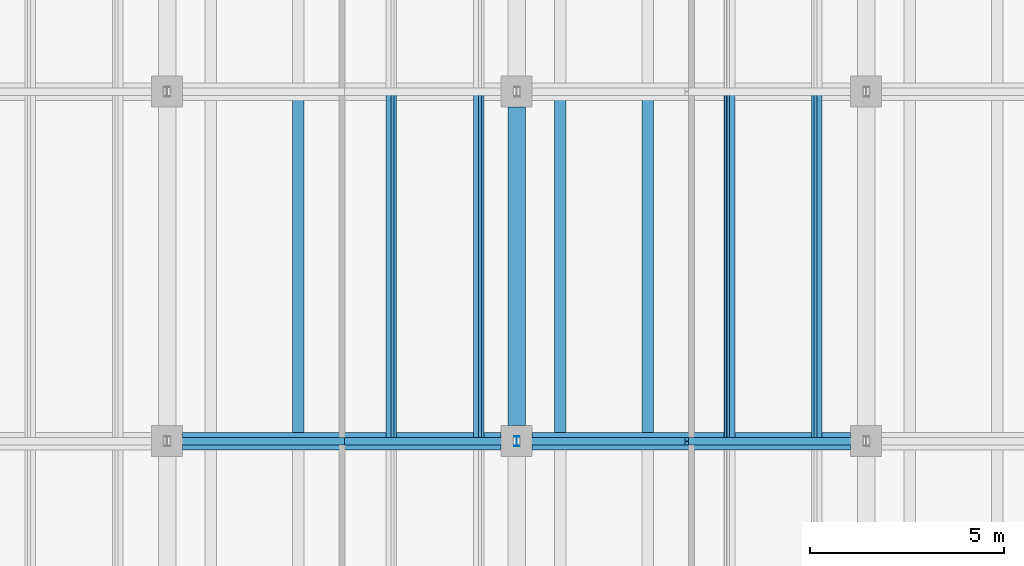
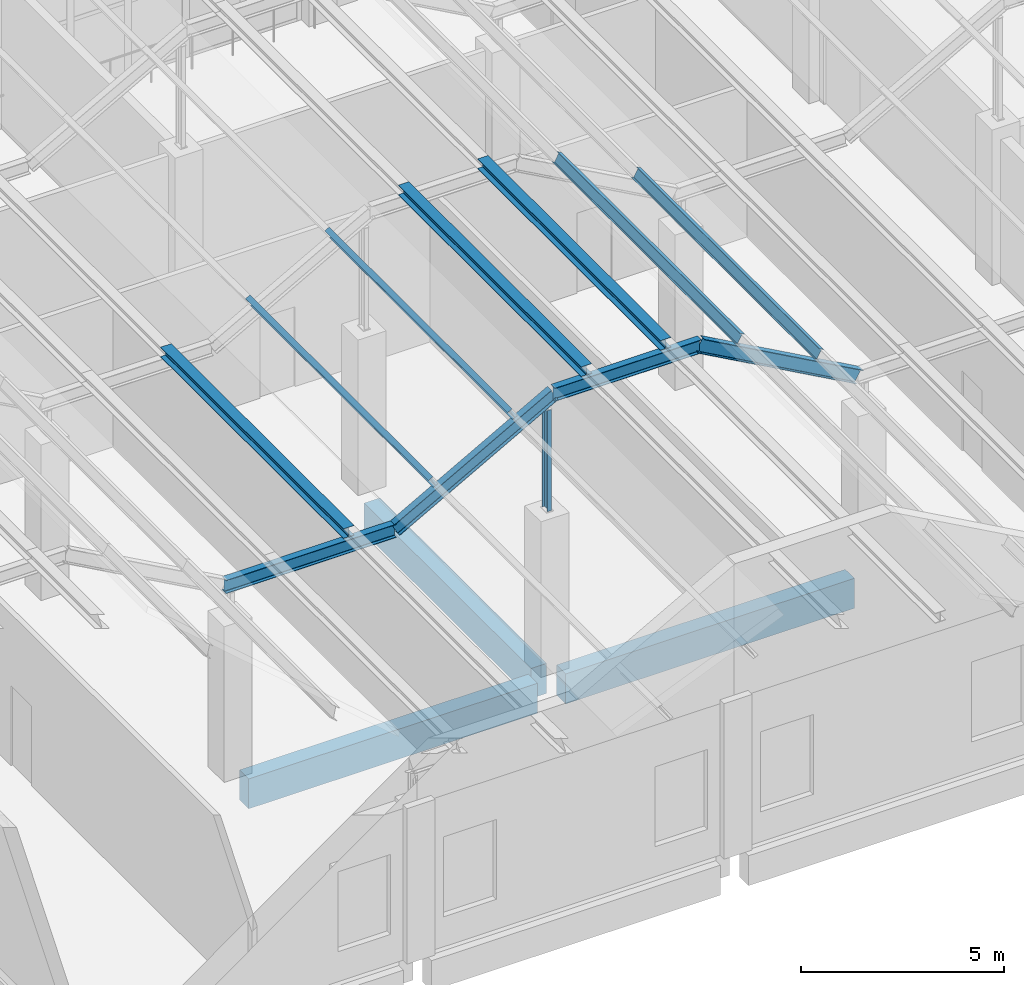
# One storey, part 20 of 437: 12 members, 3 beams.
"""IFC4 building model written with IfcOpenShell, lengths in metres."""

from ifc_helpers import new_model, si_unit, direction, frame, origin, origin_2d, place, context, subcontext, project, spatial, rectangle, i_section, extrude, material, material_profile, profile_set, type_object, element, save


model = new_model("IFC4")

# Units and contexts
model_context = context("Model", 3, precision=1e-05, world=origin(), true_north=direction((0.0, 1.0)))
body_context = subcontext(model_context, "Body", "Model", "MODEL_VIEW")
ifc_project = project(units=[si_unit("LENGTHUNIT", "METRE"), si_unit("AREAUNIT", "SQUARE_METRE"), si_unit("VOLUMEUNIT", "CUBIC_METRE"), si_unit("PLANEANGLEUNIT", "RADIAN"), si_unit("MASSUNIT", "GRAM", prefix="KILO")], contexts=[model_context])

# Site, building, storey
site_placement = place(None, origin())
site = spatial("IfcSite", under=ifc_project, at=site_placement, CompositionType="ELEMENT")
building_placement = place(site_placement, origin())
building = spatial("IfcBuilding", under=site, at=building_placement, Name="Opaline Strait Convention Centre", CompositionType="ELEMENT")
storey_placement = place(building_placement, frame((0.0, 0.0, 11.5)))
storey = spatial("IfcBuildingStorey", under=building, at=storey_placement, Name="L02", CompositionType="ELEMENT", Elevation=11.5)

# Members
ifc_material_1 = material(Name="Steel Q355B", Category="steel")
ifc_material_profile_1 = material_profile(ifc_material_1, i_section(OverallWidth=0.300048828125, OverallDepth=0.300048828125, WebThickness=0.010009765625, FlangeThickness=0.014892578125, FilletRadius=0.012939453125, at=origin_2d()), Name="HW 300x300x10x15")
ifc_profile_set_1 = profile_set([ifc_material_profile_1], Name="Steel Q355B")
member_type_1 = type_object("IfcMemberType", Name="Crest purlin HW 300x300x10x15", PredefinedType="PURLIN", material=ifc_profile_set_1)
for number, where, z_axis, x_axis, name in (
    (1, (39.375, 18.0, 5.949951171875), (0.0, 1.0, 0.0), (-1.0, 0.0, 0.0), "RU1 purlin facet 7 line 2"),
    (2, (46.125, 18.0, 8.449951171875), (0.0, 1.0, 0.0), (-1.0, 0.0, 0.0), "RU1 purlin facet 9 line 1"),
    (3, (48.375, 18.0, 8.449951171875), (0.0, 1.0, 0.0), (-1.0, 0.0, 0.0), "RU1 purlin facet 9 line 2"),
):
    element("IfcMember", number, at=place(storey_placement, frame(where, z_axis=z_axis, x_axis=x_axis)), inside=storey, type_object=member_type_1, Name=name, PredefinedType="PURLIN", context=body_context, shape_type="SweptSolid", body=[
        extrude(i_section(OverallWidth=0.300048828125, OverallDepth=0.300048828125, WebThickness=0.010009765625, FlangeThickness=0.014892578125, FilletRadius=0.012939453125, at=origin_2d()), origin(), (0.0, 0.0, 1.0), 9.0),
    ])

# Beams
ifc_material_2 = material(Name="Concrete C35", Category="concrete")
ifc_material_profile_2 = material_profile(ifc_material_2, rectangle(XDim=0.449951171875, YDim=0.89990234375, at=origin_2d()), Name="RC 450x900")
ifc_profile_set_2 = profile_set([ifc_material_profile_2], Name="Concrete C35")
beam_type = type_object("IfcBeamType", Name="RC beam 450x900 C35", PredefinedType="BEAM", material=ifc_profile_set_2)
for number, where, z_axis, x_axis, name in (
    (4, (36.39990234375, 18.0, -0.72998046875), (1.0, 0.0, 0.0), (0.0, 1.0, 0.0), "XB1 L02 36/18-45/18"),
    (5, (45.39990234375, 18.0, -0.72998046875), (1.0, 0.0, 0.0), (0.0, 1.0, 0.0), "XB1 L02 45/18-54/18"),
    (6, (45.0, 18.39990234375, -0.72998046875), (0.0, 1.0, 0.0), (-1.0, 0.0, 0.0), "XB1 L02 45/18-45/27"),
):
    element("IfcBeam", number, at=place(storey_placement, frame(where, z_axis=z_axis, x_axis=x_axis)), inside=storey, type_object=beam_type, Name=name, PredefinedType="BEAM", context=body_context, shape_type="SweptSolid", body=[
        extrude(rectangle(XDim=0.449951171875, YDim=0.89990234375, at=origin_2d()), origin(), (0.0, 0.0, 1.0), 8.2001953125),
    ])

# Members
ifc_material_profile_3 = material_profile(ifc_material_1, i_section(OverallWidth=0.125, OverallDepth=0.25, WebThickness=0.006103515625, FlangeThickness=0.009033203125, FilletRadius=0.008056640625, at=origin_2d()), Name="HN 250x125x6x9")
ifc_profile_set_3 = profile_set([ifc_material_profile_3], Name="Steel Q355B")
member_type_2 = type_object("IfcMemberType", Name="Roof post HN 250x125x6x9", PredefinedType="STRUT", material=ifc_profile_set_3)
member_1_placement = place(storey_placement, frame((45.0, 18.0, 4.68994140625), z_axis=(0.0, 0.0, 1.0), x_axis=(1.0, 0.0, 0.0)))
element("IfcMember", 7, at=member_1_placement, inside=storey, type_object=member_type_2, Name="RP1 roof post at 45/18", PredefinedType="STRUT", context=body_context, shape_type="SweptSolid", body=[
    extrude(i_section(OverallWidth=0.125, OverallDepth=0.25, WebThickness=0.006103515625, FlangeThickness=0.009033203125, FilletRadius=0.008056640625, at=origin_2d()), origin(), (0.0, 0.0, 1.0), 3.031005859375),
])
ifc_material_profile_4 = material_profile(ifc_material_1, i_section(OverallWidth=0.14990234375, OverallDepth=0.300048828125, WebThickness=0.006591796875, FlangeThickness=0.009033203125, FilletRadius=0.012939453125, at=origin_2d()), Name="HN 300x150x6.5x9")
ifc_profile_set_4 = profile_set([ifc_material_profile_4], Name="Steel Q355B")
member_type_3 = type_object("IfcMemberType", Name="Roof purlin HN 300x150x6.5x9", PredefinedType="PURLIN", material=ifc_profile_set_4)
for number, where, z_axis, x_axis, name in (
    (8, (41.770751953125, 18.0, 6.61279296875), (0.0, 1.0, 0.0), (-0.874157310866, 0.0, -0.485642868639), "RU1 purlin facet 8 line 1"),
    (9, (44.020751953125, 18.0, 7.86279296875), (0.0, 1.0, 0.0), (-0.874157310866, 0.0, -0.485642868639), "RU1 purlin facet 8 line 2"),
    (10, (50.479248046875, 18.0, 7.86279296875), (0.0, 1.0, 0.0), (-0.874157310866, 0.0, 0.485642868639), "RU1 purlin facet 10 line 1"),
    (11, (52.729248046875, 18.0, 6.61279296875), (0.0, 1.0, 0.0), (-0.874157310866, 0.0, 0.485642868639), "RU1 purlin facet 10 line 2"),
):
    element("IfcMember", number, at=place(storey_placement, frame(where, z_axis=z_axis, x_axis=x_axis)), inside=storey, type_object=member_type_3, Name=name, PredefinedType="PURLIN", context=body_context, shape_type="SweptSolid", body=[
        extrude(i_section(OverallWidth=0.14990234375, OverallDepth=0.300048828125, WebThickness=0.006591796875, FlangeThickness=0.009033203125, FilletRadius=0.012939453125, at=origin_2d()), origin(), (0.0, 0.0, 1.0), 9.0),
    ])
ifc_material_profile_5 = material_profile(ifc_material_1, i_section(OverallWidth=0.199951171875, OverallDepth=0.39990234375, WebThickness=0.008056640625, FlangeThickness=0.012939453125, FilletRadius=0.012939453125, at=origin_2d()), Name="HN 400x200x8x13")
ifc_profile_set_5 = profile_set([ifc_material_profile_5], Name="Steel Q355B")
member_type_4 = type_object("IfcMemberType", Name="Roof rafter HN 400x200x8x13", PredefinedType="RAFTER", material=ifc_profile_set_5)
member_2_placement = place(storey_placement, frame((35.83154296875, 18.0, 5.60009765625), z_axis=(1.0, 0.0, 0.0), x_axis=(0.0, 1.0, 0.0)))
element("IfcMember", 12, at=member_2_placement, inside=storey, type_object=member_type_4, Name="RR1 rafter line 2 facet 8", PredefinedType="RAFTER", context=body_context, shape_type="SweptSolid", body=[
    extrude(i_section(OverallWidth=0.199951171875, OverallDepth=0.39990234375, WebThickness=0.008056640625, FlangeThickness=0.012939453125, FilletRadius=0.012939453125, at=origin_2d()), origin(), (0.0, 0.0, 1.0), 4.8369140625),
])
member_3_placement = place(storey_placement, frame((40.66845703125, 18.0, 5.60009765625), z_axis=(0.874157276122, 0.0, 0.485642931179), x_axis=(0.0, 1.0, 0.0)))
element("IfcMember", 13, at=member_3_placement, inside=storey, type_object=member_type_4, Name="RR1 rafter line 2 facet 9", PredefinedType="RAFTER", context=body_context, shape_type="SweptSolid", body=[
    extrude(i_section(OverallWidth=0.199951171875, OverallDepth=0.39990234375, WebThickness=0.008056640625, FlangeThickness=0.012939453125, FilletRadius=0.012939453125, at=origin_2d()), origin(), (0.0, 0.0, 1.0), 5.147705078125),
])
member_4_placement = place(storey_placement, frame((45.16845703125, 18.0, 8.10009765625), z_axis=(1.0, 0.0, 0.0), x_axis=(0.0, 1.0, 0.0)))
element("IfcMember", 14, at=member_4_placement, inside=storey, type_object=member_type_4, Name="RR1 rafter line 2 facet 10", PredefinedType="RAFTER", context=body_context, shape_type="SweptSolid", body=[
    extrude(i_section(OverallWidth=0.199951171875, OverallDepth=0.39990234375, WebThickness=0.008056640625, FlangeThickness=0.012939453125, FilletRadius=0.012939453125, at=origin_2d()), origin(), (0.0, 0.0, 1.0), 4.1630859375),
])
member_5_placement = place(storey_placement, frame((49.33154296875, 18.0, 8.10009765625), z_axis=(0.874157276122, 0.0, -0.485642931179), x_axis=(0.0, 1.0, 0.0)))
element("IfcMember", 15, at=member_5_placement, inside=storey, type_object=member_type_4, Name="RR1 rafter line 2 facet 11", PredefinedType="RAFTER", context=body_context, shape_type="SweptSolid", body=[
    extrude(i_section(OverallWidth=0.199951171875, OverallDepth=0.39990234375, WebThickness=0.008056640625, FlangeThickness=0.012939453125, FilletRadius=0.012939453125, at=origin_2d()), origin(), (0.0, 0.0, 1.0), 5.147705078125),
])

save(model, "model.ifc")
